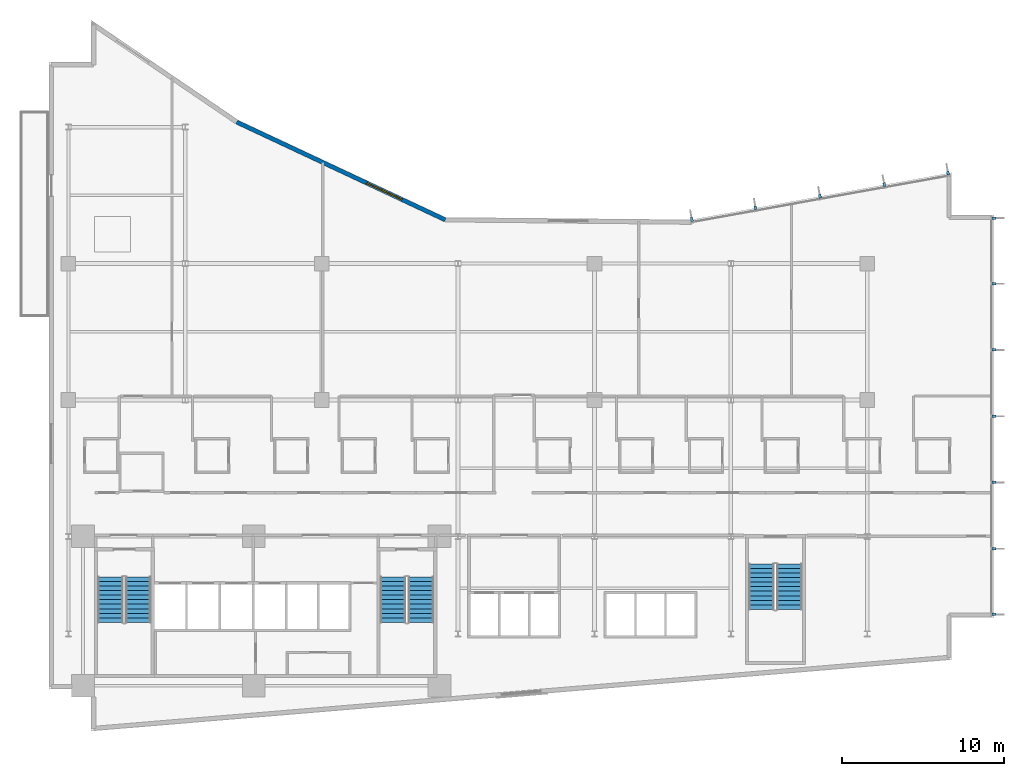
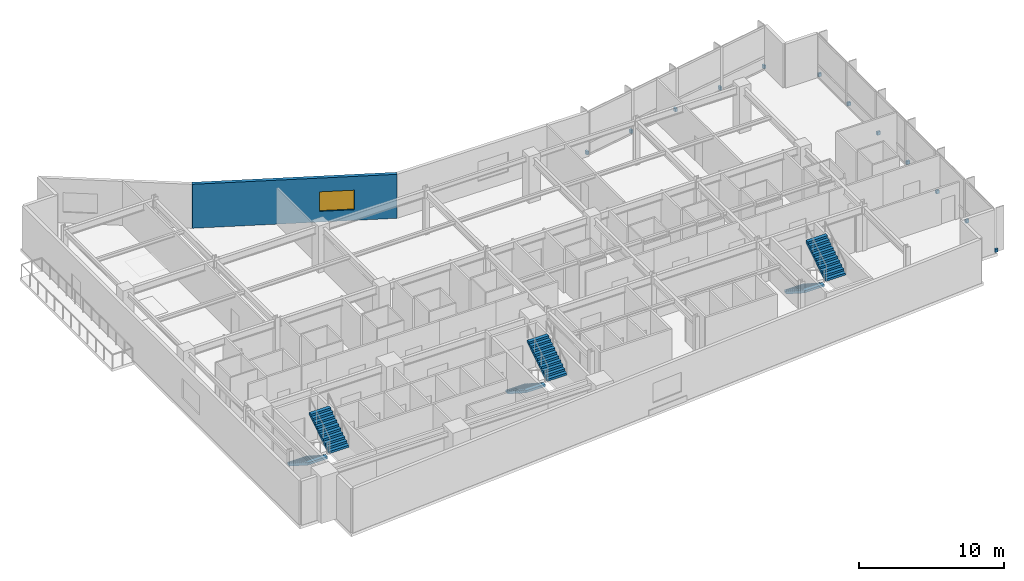
# One storey, part 16 of 21: 12 discrete accessories, 6 stair flights, 1 wall, 1 window, 1 opening, 3 elements without a shape of their own.
"""IFC4 building model written with IfcOpenShell, lengths in metres."""

from ifc_helpers import new_model, si_unit, direction, frame, frame_2d, origin, origin_2d, place, context, subcontext, project, spatial, polyline, rectangle, outline, extrude, material, layer, layer_set, type_object, element, fill, aggregate, save


model = new_model("IFC4")

# Units and contexts
model_context = context("Model", 3, precision=1e-05, world=origin(), true_north=direction((0.0, 1.0)))
body_context = subcontext(model_context, "Body", "Model", "MODEL_VIEW")
ifc_project = project(units=[si_unit("LENGTHUNIT", "METRE"), si_unit("AREAUNIT", "SQUARE_METRE"), si_unit("VOLUMEUNIT", "CUBIC_METRE"), si_unit("PLANEANGLEUNIT", "RADIAN"), si_unit("MASSUNIT", "GRAM", prefix="KILO")], contexts=[model_context])

# Site, building, storey
site_placement = place(None, origin())
site = spatial("IfcSite", under=ifc_project, at=site_placement, CompositionType="ELEMENT")
building_placement = place(site_placement, origin())
building = spatial("IfcBuilding", under=site, at=building_placement, Name="Varnakote Quay Hospital", CompositionType="ELEMENT")
storey_placement = place(building_placement, frame((0.0, 0.0, 42.25)))
storey = spatial("IfcBuildingStorey", under=building, at=storey_placement, Name="L10", CompositionType="ELEMENT", Elevation=42.25)

# Wall, opening, window
ifc_material_1 = material(Name="Precast concrete N50 (f'c 50 MPa)", Category="concrete")
ifc_layer_1 = layer(ifc_material_1, 0.260009765625)
ifc_layer_set_1 = layer_set([ifc_layer_1], Name="Precast concrete N50 (f'c 50 MPa)")
wall_type = type_object("IfcWallType", Name="WL-EXT-BRICK-260", PredefinedType="STANDARD", material=ifc_layer_set_1)
wall_placement = place(storey_placement, frame((24.40771484375, 31.4921875, 0.0), z_axis=(0.0, 0.0, 1.0), x_axis=(-0.905396522918, 0.424566998585, 0.0)))
wall = element("IfcWall", 1, at=wall_placement, inside=storey, type_object=wall_type, Name="L10 Brick-Faced Precast Exterior Wall", PredefinedType="STANDARD", context=body_context, shape_type="SweptSolid", body=[
    extrude(rectangle(XDim=14.189453125, YDim=0.260009765625, at=frame_2d((7.0947265625, 0.0))), origin(), (0.0, 0.0, 1.0), 3.7099609375),
])
opening_placement = place(wall_placement, frame((2.95263671875, 0.0, 0.89990234375)))
opening = element("IfcOpeningElement", 2, at=opening_placement, cuts=wall, Name="Opening WN-0056", PredefinedType="OPENING", context=body_context, shape_type="SweptSolid", body=[
    extrude(rectangle(XDim=2.39990234375, YDim=1.64990234375, at=frame_2d((1.199951171875, 0.824951171875))), frame((0.0, 0.139892578125, 0.0), z_axis=(0.0, -1.0, 0.0), x_axis=(1.0, 0.0, 0.0)), (0.0, 0.0, 1.0), 0.280029296875),
])
ifc_material_2 = material(Name="Double-glazed low-E solar glass", Category="glass")
window_type = type_object("IfcWindowType", Name="WIN-CLIN-2400x1650", PartitioningType="SINGLE_PANEL", PredefinedType="WINDOW", material=ifc_material_2)
window_placement = place(opening_placement, origin())
window = element("IfcWindow", 3, at=window_placement, inside=storey, type_object=window_type, Name="L10 Solar-Control Clinical Window", OverallHeight=1.64990234375, OverallWidth=2.39990234375, PartitioningType="SINGLE_PANEL", PredefinedType="WINDOW", context=body_context, shape_type="SweptSolid", body=[
    extrude(rectangle(XDim=2.39990234375, YDim=1.64990234375, at=frame_2d((1.199951171875, 0.824951171875))), frame((0.0, 0.030029296875, 0.0), z_axis=(0.0, -1.0, 0.0), x_axis=(1.0, 0.0, 0.0)), (0.0, 0.0, 1.0), 0.06005859375),
])
fill(opening, window)

# Stair, stair flights
ifc_material_3 = material(Name="Concrete N40 (f'c 40 MPa)", Category="concrete")
stair_type = type_object("IfcStairType", Name="STR-CORE-1580", PredefinedType="HALF_TURN_STAIR", material=ifc_material_3)
stair_1_placement = place(storey_placement, origin())
stair_1 = element("IfcStair", 4, at=stair_1_placement, inside=storey, type_object=stair_type, Name="L10 Fire-Isolated Exit Stair ST-01", PredefinedType="HALF_TURN_STAIR")
ifc_material_4 = material(Name="Concrete N40 (f'c 40 MPa)", Category="concrete")
ifc_layer_2 = layer(ifc_material_4, 0.159912109375)
ifc_layer_set_2 = layer_set([ifc_layer_2], Name="Concrete N40 (f'c 40 MPa)")
stair_flight_type = type_object("IfcStairFlightType", Name="FLT-CORE-1580", PredefinedType="STRAIGHT", material=ifc_layer_set_2)
stair_flight_1_placement = place(storey_placement, frame((3.7900390625, 9.5, 0.0), z_axis=(0.0, 0.0, 1.0), x_axis=(0.0, -1.0, 0.0)))
stair_flight_1 = element("IfcStairFlight", 5, at=stair_flight_1_placement, type_object=stair_flight_type, Name="ST-01 flight 1", NumberOfRisers=11, NumberOfTreads=10, PredefinedType="STRAIGHT", RiserHeight=0.179545455, TreadLength=0.28, context=body_context, shape_type="SweptSolid", body=[
    extrude(outline(polyline([(0.0, 0.0), (0.0, 0.179443359375), (0.280029296875, 0.179443359375), (0.280029296875, 0.359130859375), (0.56005859375, 0.359130859375), (0.56005859375, 0.53857421875), (0.840087890625, 0.53857421875), (0.840087890625, 0.71826171875), (1.1201171875, 0.71826171875), (1.1201171875, 0.897705078125), (1.39990234375, 0.897705078125), (1.39990234375, 1.077392578125), (1.679931640625, 1.077392578125), (1.679931640625, 1.2568359375), (1.9599609375, 1.2568359375), (1.9599609375, 1.436279296875), (2.239990234375, 1.436279296875), (2.239990234375, 1.615966796875), (2.52001953125, 1.615966796875), (2.52001953125, 1.79541015625), (2.800048828125, 1.79541015625), (2.800048828125, 1.97509765625), (2.800048828125, 1.60546875), (0.296142578125, 0.0), (0.0, 0.0)])), frame((0.0, 0.7900390625, 0.0), z_axis=(0.0, -1.0, 0.0), x_axis=(1.0, 0.0, 0.0)), (0.0, 0.0, 1.0), 1.580078125),
])
stair_flight_2_placement = place(storey_placement, frame((5.510009765625, 6.699951171875, 1.97509765625), z_axis=(0.0, 0.0, 1.0), x_axis=(0.0, 1.0, 0.0)))
stair_flight_2 = element("IfcStairFlight", 6, at=stair_flight_2_placement, type_object=stair_flight_type, Name="ST-01 flight 2", NumberOfRisers=11, NumberOfTreads=10, PredefinedType="STRAIGHT", RiserHeight=0.179545455, TreadLength=0.28, context=body_context, shape_type="SweptSolid", body=[
    extrude(outline(polyline([(0.0, 0.0), (0.0, 0.179443359375), (0.280029296875, 0.179443359375), (0.280029296875, 0.359130859375), (0.56005859375, 0.359130859375), (0.56005859375, 0.53857421875), (0.840087890625, 0.53857421875), (0.840087890625, 0.71826171875), (1.1201171875, 0.71826171875), (1.1201171875, 0.897705078125), (1.39990234375, 0.897705078125), (1.39990234375, 1.077392578125), (1.679931640625, 1.077392578125), (1.679931640625, 1.2568359375), (1.9599609375, 1.2568359375), (1.9599609375, 1.436279296875), (2.239990234375, 1.436279296875), (2.239990234375, 1.615966796875), (2.52001953125, 1.615966796875), (2.52001953125, 1.79541015625), (2.800048828125, 1.79541015625), (2.800048828125, 1.97509765625), (2.800048828125, 1.60546875), (0.296142578125, 0.0), (0.0, 0.0)])), frame((0.0, 0.7900390625, 0.0), z_axis=(0.0, -1.0, 0.0), x_axis=(1.0, 0.0, 0.0)), (0.0, 0.0, 1.0), 1.580078125),
])
aggregate(stair_1, [stair_flight_1, stair_flight_2])

stair_2_placement = place(storey_placement, origin())
stair_2 = element("IfcStair", 7, at=stair_2_placement, inside=storey, type_object=stair_type, Name="L10 Fire-Isolated Exit Stair ST-02", PredefinedType="HALF_TURN_STAIR")
stair_flight_3_placement = place(storey_placement, frame((21.18994140625, 9.5, 0.0), z_axis=(0.0, 0.0, 1.0), x_axis=(0.0, -1.0, 0.0)))
stair_flight_3 = element("IfcStairFlight", 8, at=stair_flight_3_placement, type_object=stair_flight_type, Name="ST-02 flight 1", NumberOfRisers=11, NumberOfTreads=10, PredefinedType="STRAIGHT", RiserHeight=0.179545455, TreadLength=0.28, context=body_context, shape_type="SweptSolid", body=[
    extrude(outline(polyline([(0.0, 0.0), (0.0, 0.179443359375), (0.280029296875, 0.179443359375), (0.280029296875, 0.359130859375), (0.56005859375, 0.359130859375), (0.56005859375, 0.53857421875), (0.840087890625, 0.53857421875), (0.840087890625, 0.71826171875), (1.1201171875, 0.71826171875), (1.1201171875, 0.897705078125), (1.39990234375, 0.897705078125), (1.39990234375, 1.077392578125), (1.679931640625, 1.077392578125), (1.679931640625, 1.2568359375), (1.9599609375, 1.2568359375), (1.9599609375, 1.436279296875), (2.239990234375, 1.436279296875), (2.239990234375, 1.615966796875), (2.52001953125, 1.615966796875), (2.52001953125, 1.79541015625), (2.800048828125, 1.79541015625), (2.800048828125, 1.97509765625), (2.800048828125, 1.60546875), (0.296142578125, 0.0), (0.0, 0.0)])), frame((0.0, 0.7900390625, 0.0), z_axis=(0.0, -1.0, 0.0), x_axis=(1.0, 0.0, 0.0)), (0.0, 0.0, 1.0), 1.580078125),
])
stair_flight_4_placement = place(storey_placement, frame((22.909912109375, 6.699951171875, 1.97509765625), z_axis=(0.0, 0.0, 1.0), x_axis=(0.0, 1.0, 0.0)))
stair_flight_4 = element("IfcStairFlight", 9, at=stair_flight_4_placement, type_object=stair_flight_type, Name="ST-02 flight 2", NumberOfRisers=11, NumberOfTreads=10, PredefinedType="STRAIGHT", RiserHeight=0.179545455, TreadLength=0.28, context=body_context, shape_type="SweptSolid", body=[
    extrude(outline(polyline([(0.0, 0.0), (0.0, 0.179443359375), (0.280029296875, 0.179443359375), (0.280029296875, 0.359130859375), (0.56005859375, 0.359130859375), (0.56005859375, 0.53857421875), (0.840087890625, 0.53857421875), (0.840087890625, 0.71826171875), (1.1201171875, 0.71826171875), (1.1201171875, 0.897705078125), (1.39990234375, 0.897705078125), (1.39990234375, 1.077392578125), (1.679931640625, 1.077392578125), (1.679931640625, 1.2568359375), (1.9599609375, 1.2568359375), (1.9599609375, 1.436279296875), (2.239990234375, 1.436279296875), (2.239990234375, 1.615966796875), (2.52001953125, 1.615966796875), (2.52001953125, 1.79541015625), (2.800048828125, 1.79541015625), (2.800048828125, 1.97509765625), (2.800048828125, 1.60546875), (0.296142578125, 0.0), (0.0, 0.0)])), frame((0.0, 0.7900390625, 0.0), z_axis=(0.0, -1.0, 0.0), x_axis=(1.0, 0.0, 0.0)), (0.0, 0.0, 1.0), 1.580078125),
])
aggregate(stair_2, [stair_flight_3, stair_flight_4])

stair_3_placement = place(storey_placement, origin())
stair_3 = element("IfcStair", 10, at=stair_3_placement, inside=storey, type_object=stair_type, Name="L10 Fire-Isolated Exit Stair ST-03", PredefinedType="HALF_TURN_STAIR")
stair_flight_5_placement = place(storey_placement, frame((43.889892578125, 10.300048828125, 0.0), z_axis=(0.0, 0.0, 1.0), x_axis=(0.0, -1.0, 0.0)))
stair_flight_5 = element("IfcStairFlight", 11, at=stair_flight_5_placement, type_object=stair_flight_type, Name="ST-03 flight 1", NumberOfRisers=11, NumberOfTreads=10, PredefinedType="STRAIGHT", RiserHeight=0.179545455, TreadLength=0.28, context=body_context, shape_type="SweptSolid", body=[
    extrude(outline(polyline([(0.0, 0.0), (0.0, 0.179443359375), (0.280029296875, 0.179443359375), (0.280029296875, 0.359130859375), (0.56005859375, 0.359130859375), (0.56005859375, 0.53857421875), (0.840087890625, 0.53857421875), (0.840087890625, 0.71826171875), (1.1201171875, 0.71826171875), (1.1201171875, 0.897705078125), (1.39990234375, 0.897705078125), (1.39990234375, 1.077392578125), (1.679931640625, 1.077392578125), (1.679931640625, 1.2568359375), (1.9599609375, 1.2568359375), (1.9599609375, 1.436279296875), (2.239990234375, 1.436279296875), (2.239990234375, 1.615966796875), (2.52001953125, 1.615966796875), (2.52001953125, 1.79541015625), (2.800048828125, 1.79541015625), (2.800048828125, 1.97509765625), (2.800048828125, 1.60546875), (0.296142578125, 0.0), (0.0, 0.0)])), frame((0.0, 0.7900390625, 0.0), z_axis=(0.0, -1.0, 0.0), x_axis=(1.0, 0.0, 0.0)), (0.0, 0.0, 1.0), 1.580078125),
])
stair_flight_6_placement = place(storey_placement, frame((45.610107421875, 7.5, 1.97509765625), z_axis=(0.0, 0.0, 1.0), x_axis=(0.0, 1.0, 0.0)))
stair_flight_6 = element("IfcStairFlight", 12, at=stair_flight_6_placement, type_object=stair_flight_type, Name="ST-03 flight 2", NumberOfRisers=11, NumberOfTreads=10, PredefinedType="STRAIGHT", RiserHeight=0.179545455, TreadLength=0.28, context=body_context, shape_type="SweptSolid", body=[
    extrude(outline(polyline([(0.0, 0.0), (0.0, 0.179443359375), (0.280029296875, 0.179443359375), (0.280029296875, 0.359130859375), (0.56005859375, 0.359130859375), (0.56005859375, 0.53857421875), (0.840087890625, 0.53857421875), (0.840087890625, 0.71826171875), (1.1201171875, 0.71826171875), (1.1201171875, 0.897705078125), (1.39990234375, 0.897705078125), (1.39990234375, 1.077392578125), (1.679931640625, 1.077392578125), (1.679931640625, 1.2568359375), (1.9599609375, 1.2568359375), (1.9599609375, 1.436279296875), (2.239990234375, 1.436279296875), (2.239990234375, 1.615966796875), (2.52001953125, 1.615966796875), (2.52001953125, 1.79541015625), (2.800048828125, 1.79541015625), (2.800048828125, 1.97509765625), (2.800048828125, 1.60546875), (0.296142578125, 0.0), (0.0, 0.0)])), frame((0.0, 0.7900390625, 0.0), z_axis=(0.0, -1.0, 0.0), x_axis=(1.0, 0.0, 0.0)), (0.0, 0.0, 1.0), 1.580078125),
])
aggregate(stair_3, [stair_flight_5, stair_flight_6])

# Discrete accessories
ifc_material_5 = material(Name="Anodised aluminium 6063-T6 Bronze", Category="aluminium")
discrete_accessory_type = type_object("IfcDiscreteAccessoryType", Name="ACC-FIN-BRACKET-180", PredefinedType="BRACKET", material=ifc_material_5)
for number, where, z_axis, x_axis, name in (
    (13, (58.2099609375, 7.197509765625, 0.0), (0.0, 0.0, 1.0), (0.0, 1.0, 0.0), "L10 Curtain Wall Fin Fixing Bracket"),
    (14, (58.2099609375, 11.239990234375, 0.0), (0.0, 0.0, 1.0), (0.0, 1.0, 0.0), "L10 Curtain Wall Fin Fixing Bracket"),
    (15, (58.2099609375, 15.320068359375, 0.0), (0.0, 0.0, 1.0), (0.0, 1.0, 0.0), "L10 Curtain Wall Fin Fixing Bracket"),
    (16, (58.2099609375, 19.39990234375, 0.0), (0.0, 0.0, 1.0), (0.0, 1.0, 0.0), "L10 Curtain Wall Fin Fixing Bracket"),
    (17, (58.2099609375, 23.47998046875, 0.0), (0.0, 0.0, 1.0), (0.0, 1.0, 0.0), "L10 Curtain Wall Fin Fixing Bracket"),
    (18, (58.2099609375, 27.56005859375, 0.0), (0.0, 0.0, 1.0), (0.0, 1.0, 0.0), "L10 Curtain Wall Fin Fixing Bracket"),
    (19, (58.2099609375, 31.6025390625, 0.0), (0.0, 0.0, 1.0), (0.0, 1.0, 0.0), "L10 Curtain Wall Fin Fixing Bracket"),
    (20, (55.372802734375, 34.369140625, 0.0), (0.0, 0.0, 1.0), (-0.984071739666, -0.177771795263, 0.0), "L10 Curtain Wall Fin Fixing Bracket"),
    (21, (51.447265625, 33.65966796875, 0.0), (0.0, 0.0, 1.0), (-0.984071739666, -0.177771795263, 0.0), "L10 Curtain Wall Fin Fixing Bracket"),
    (22, (47.484619140625, 32.943603515625, 0.0), (0.0, 0.0, 1.0), (-0.984071739666, -0.177771795263, 0.0), "L10 Curtain Wall Fin Fixing Bracket"),
    (23, (43.52197265625, 32.227294921875, 0.0), (0.0, 0.0, 1.0), (-0.984071739666, -0.177771795263, 0.0), "L10 Curtain Wall Fin Fixing Bracket"),
    (24, (39.59619140625, 31.517822265625, 0.0), (0.0, 0.0, 1.0), (-0.984071739666, -0.177771795263, 0.0), "L10 Curtain Wall Fin Fixing Bracket"),
):
    element("IfcDiscreteAccessory", number, at=place(storey_placement, frame(where, z_axis=z_axis, x_axis=x_axis)), inside=storey, type_object=discrete_accessory_type, Name=name, PredefinedType="BRACKET", context=body_context, shape_type="SweptSolid", body=[
        extrude(rectangle(XDim=0.159912109375, YDim=0.239990234375, at=origin_2d()), origin(), (0.0, 0.0, 1.0), 0.280029296875),
    ])

save(model, "model.ifc")
